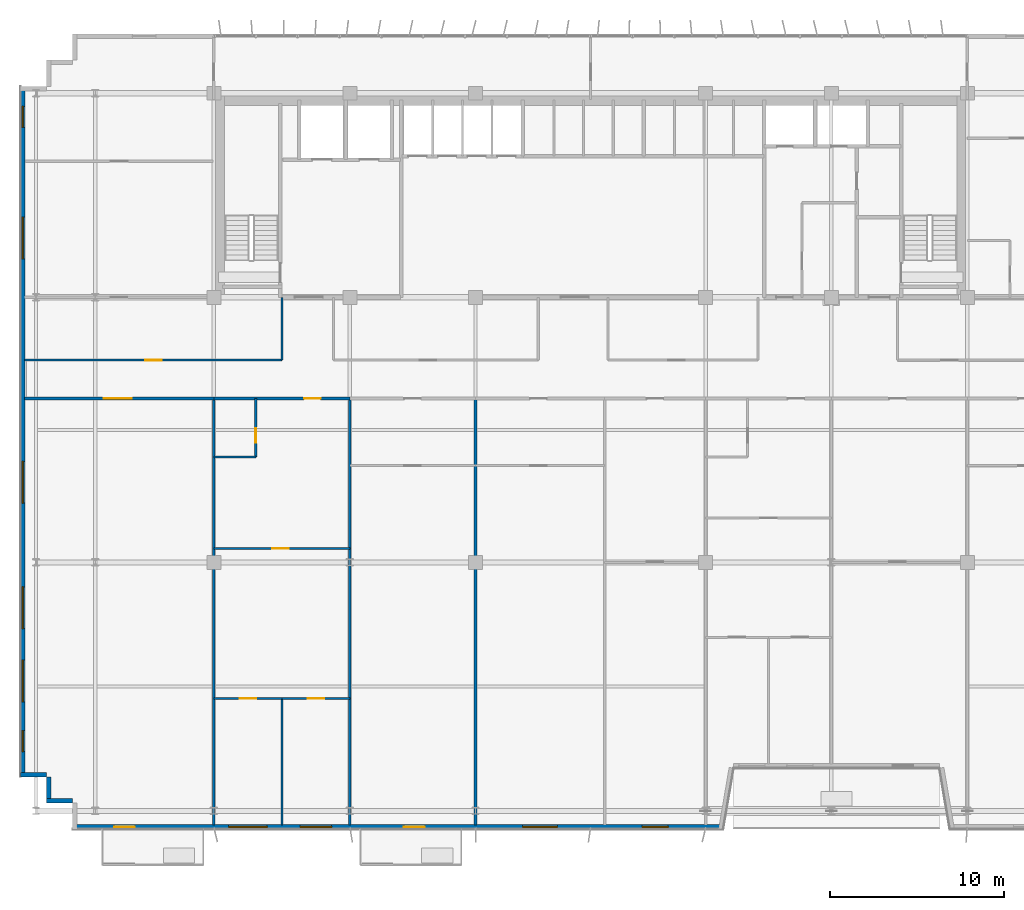
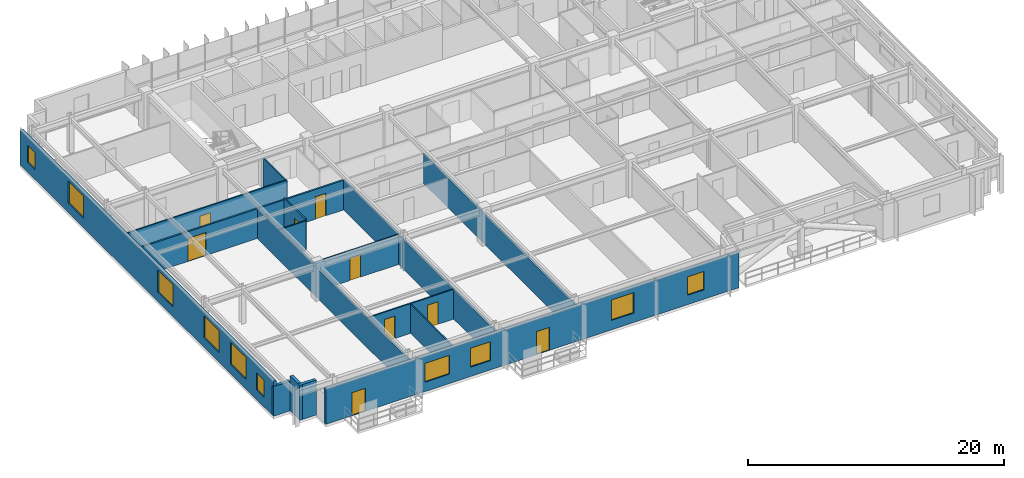
# One storey, part 15 of 22: 18 walls, 10 windows, 9 doors, 19 openings.
"""IFC4 building model written with IfcOpenShell, lengths in metres."""

from ifc_helpers import new_model, si_unit, direction, frame, frame_2d, origin, place, context, subcontext, project, spatial, rectangle, extrude, source, transform, mapped, material, layer, layer_set, type_object, element, fill, save


model = new_model("IFC4")

# Units and contexts
model_context = context("Model", 3, precision=1e-05, world=origin(), true_north=direction((0.0, 1.0)))
body_context = subcontext(model_context, "Body", "Model", "MODEL_VIEW")
ifc_project = project(units=[si_unit("LENGTHUNIT", "METRE"), si_unit("AREAUNIT", "SQUARE_METRE"), si_unit("VOLUMEUNIT", "CUBIC_METRE"), si_unit("PLANEANGLEUNIT", "RADIAN"), si_unit("MASSUNIT", "GRAM", prefix="KILO")], contexts=[model_context])

# Site, building, storey
site_placement = place(None, origin())
site = spatial("IfcSite", under=ifc_project, at=site_placement, CompositionType="ELEMENT")
building_placement = place(site_placement, origin())
building = spatial("IfcBuilding", under=site, at=building_placement, Name="Trelvane Seafront Commons", CompositionType="ELEMENT")
storey_placement = place(building_placement, frame((0.0, 0.0, 121.300048828125)))
storey = spatial("IfcBuildingStorey", under=building, at=storey_placement, Name="L31", CompositionType="ELEMENT", Elevation=121.300048828125)

# Walls
ifc_material_1 = material(Name="Precast concrete C40/50", Category="concrete")
ifc_layer_1 = layer(ifc_material_1, 0.260009765625, Name="ARCH-WALL-EXT260")
ifc_layer_set_1 = layer_set([ifc_layer_1], Name="Precast concrete C40/50")
wall_type_1 = type_object("IfcWallType", Name="ARCH-WALL-EXT260", PredefinedType="SOLIDWALL", material=ifc_layer_set_1)
for number, where, z_axis, x_axis, name in (
    (1, (7.5, 4.530029296875, 0.0), (0.0, 0.0, 1.0), (-1.0, 0.0, 0.0), "EW-L31-00582"),
    (2, (6.1298828125, 4.39990234375, 0.0), (0.0, 0.0, 1.0), (0.0, 1.0, 0.0), "EW-L31-00583"),
):
    element("IfcWall", number, at=place(storey_placement, frame(where, z_axis=z_axis, x_axis=x_axis)), inside=storey, type_object=wall_type_1, Name=name, PredefinedType="SOLIDWALL", context=body_context, shape_type="SweptSolid", body=[
        extrude(rectangle(XDim=1.5, YDim=0.260009765625, at=frame_2d((0.75, 0.0))), origin(), (0.0, 0.0, 1.0), 3.33984375),
    ])
wall_1_placement = place(storey_placement, frame((6.0, 6.030029296875, 0.0), z_axis=(0.0, 0.0, 1.0), x_axis=(-1.0, 0.0, 0.0)))
element("IfcWall", 3, at=wall_1_placement, inside=storey, type_object=wall_type_1, Name="EW-L31-00584", PredefinedType="SOLIDWALL", context=body_context, shape_type="SweptSolid", body=[
    extrude(rectangle(XDim=1.5, YDim=0.260009765625, at=frame_2d((0.75, 0.0))), origin(), (0.0, 0.0, 1.0), 2.83984375),
])

# Wall, openings, windows
wall_2_placement = place(storey_placement, frame((4.6298828125, 5.89990234375, 0.0), z_axis=(0.0, 0.0, 1.0), x_axis=(0.0, 1.0, 0.0)))
wall_2 = element("IfcWall", 4, at=wall_2_placement, inside=storey, type_object=wall_type_1, Name="EW-L31-00585", PredefinedType="SOLIDWALL", context=body_context, shape_type="SweptSolid", body=[
    extrude(rectangle(XDim=39.60009765625, YDim=0.260009765625, at=frame_2d((19.800048828125, 0.0))), origin(), (0.0, 0.0, 1.0), 3.33984375),
])
opening_1_placement = place(wall_2_placement, frame((1.449951171875, 0.0, 0.919921875)))
opening_1 = element("IfcOpeningElement", 5, at=opening_1_placement, cuts=wall_2, Name="Opening W05", PredefinedType="OPENING", context=body_context, shape_type="SweptSolid", body=[
    extrude(rectangle(XDim=1.199951171875, YDim=1.64990234375, at=frame_2d((0.60009765625, 0.824951171875))), frame((0.0, 0.139892578125, 0.0), z_axis=(0.0, -1.0, 0.0), x_axis=(1.0, 0.0, 0.0)), (0.0, 0.0, 1.0), 0.280029296875),
])
opening_2_placement = place(wall_2_placement, frame((4.300048828125, 0.0, 0.919921875)))
opening_2 = element("IfcOpeningElement", 6, at=opening_2_placement, cuts=wall_2, Name="Opening W08", PredefinedType="OPENING", context=body_context, shape_type="SweptSolid", body=[
    extrude(rectangle(XDim=2.39990234375, YDim=2.10009765625, at=frame_2d((1.199951171875, 1.050048828125))), frame((0.0, 0.139892578125, 0.0), z_axis=(0.0, -1.0, 0.0), x_axis=(1.0, 0.0, 0.0)), (0.0, 0.0, 1.0), 0.280029296875),
])
opening_3_placement = place(wall_2_placement, frame((8.5, 0.0, 0.919921875)))
opening_3 = element("IfcOpeningElement", 7, at=opening_3_placement, cuts=wall_2, Name="Opening W08", PredefinedType="OPENING", context=body_context, shape_type="SweptSolid", body=[
    extrude(rectangle(XDim=2.39990234375, YDim=2.10009765625, at=frame_2d((1.199951171875, 1.050048828125))), frame((0.0, 0.139892578125, 0.0), z_axis=(0.0, -1.0, 0.0), x_axis=(1.0, 0.0, 0.0)), (0.0, 0.0, 1.0), 0.280029296875),
])
opening_4_placement = place(wall_2_placement, frame((15.699951171875, 0.0, 0.919921875)))
opening_4 = element("IfcOpeningElement", 8, at=opening_4_placement, cuts=wall_2, Name="Opening W08", PredefinedType="OPENING", context=body_context, shape_type="SweptSolid", body=[
    extrude(rectangle(XDim=2.39990234375, YDim=2.10009765625, at=frame_2d((1.199951171875, 1.050048828125))), frame((0.0, 0.139892578125, 0.0), z_axis=(0.0, -1.0, 0.0), x_axis=(1.0, 0.0, 0.0)), (0.0, 0.0, 1.0), 0.280029296875),
])
opening_5_placement = place(wall_2_placement, frame((29.699951171875, 0.0, 0.919921875)))
opening_5 = element("IfcOpeningElement", 9, at=opening_5_placement, cuts=wall_2, Name="Opening W08", PredefinedType="OPENING", context=body_context, shape_type="SweptSolid", body=[
    extrude(rectangle(XDim=2.39990234375, YDim=2.10009765625, at=frame_2d((1.199951171875, 1.050048828125))), frame((0.0, 0.139892578125, 0.0), z_axis=(0.0, -1.0, 0.0), x_axis=(1.0, 0.0, 0.0)), (0.0, 0.0, 1.0), 0.280029296875),
])
opening_6_placement = place(wall_2_placement, frame((37.25, 0.0, 0.919921875)))
opening_6 = element("IfcOpeningElement", 10, at=opening_6_placement, cuts=wall_2, Name="Opening W05", PredefinedType="OPENING", context=body_context, shape_type="SweptSolid", body=[
    extrude(rectangle(XDim=1.199951171875, YDim=1.64990234375, at=frame_2d((0.60009765625, 0.824951171875))), frame((0.0, 0.139892578125, 0.0), z_axis=(0.0, -1.0, 0.0), x_axis=(1.0, 0.0, 0.0)), (0.0, 0.0, 1.0), 0.280029296875),
])
ifc_material_2 = material(Name="Low-E coastal double glazing", Category="glass")
window_type_1 = type_object("IfcWindowType", Name="ARCH-WIN-W08", PartitioningType="SINGLE_PANEL", PredefinedType="WINDOW", material=ifc_material_2)
shared_shape_1 = source(origin(), body_context, "Body", "SweptSolid", [
    extrude(rectangle(XDim=2.39990234375, YDim=2.10009765625, at=frame_2d((1.199951171875, 1.050048828125))), frame((0.0, 0.030029296875, 0.0), z_axis=(0.0, -1.0, 0.0), x_axis=(1.0, 0.0, 0.0)), (0.0, 0.0, 1.0), 0.06005859375),
])
window_1_placement = place(opening_2_placement, origin())
window_1 = element("IfcWindow", 11, at=window_1_placement, inside=storey, type_object=window_type_1, Name="WIN-L31-EW-00699", OverallHeight=2.10009765625, OverallWidth=2.39990234375, PartitioningType="SINGLE_PANEL", PredefinedType="WINDOW", context=body_context, shape_type="MappedRepresentation", body=[
    mapped(shared_shape_1, transform((0.0, 0.0, 0.0), x_axis=(1.0, 0.0, 0.0), y_axis=(0.0, 1.0, 0.0), z_axis=(0.0, 0.0, 1.0), scale=1.0)),
])
fill(opening_2, window_1)
window_2_placement = place(opening_3_placement, origin())
window_2 = element("IfcWindow", 12, at=window_2_placement, inside=storey, type_object=window_type_1, Name="WIN-L31-EW-00700", OverallHeight=2.10009765625, OverallWidth=2.39990234375, PartitioningType="SINGLE_PANEL", PredefinedType="WINDOW", context=body_context, shape_type="MappedRepresentation", body=[
    mapped(shared_shape_1, transform((0.0, 0.0, 0.0), x_axis=(1.0, 0.0, 0.0), y_axis=(0.0, 1.0, 0.0), z_axis=(0.0, 0.0, 1.0), scale=1.0)),
])
fill(opening_3, window_2)
window_3_placement = place(opening_4_placement, origin())
window_3 = element("IfcWindow", 13, at=window_3_placement, inside=storey, type_object=window_type_1, Name="WIN-L31-EW-00701", OverallHeight=2.10009765625, OverallWidth=2.39990234375, PartitioningType="SINGLE_PANEL", PredefinedType="WINDOW", context=body_context, shape_type="MappedRepresentation", body=[
    mapped(shared_shape_1, transform((0.0, 0.0, 0.0), x_axis=(1.0, 0.0, 0.0), y_axis=(0.0, 1.0, 0.0), z_axis=(0.0, 0.0, 1.0), scale=1.0)),
])
fill(opening_4, window_3)
window_4_placement = place(opening_5_placement, origin())
window_4 = element("IfcWindow", 14, at=window_4_placement, inside=storey, type_object=window_type_1, Name="WIN-L31-EW-00702", OverallHeight=2.10009765625, OverallWidth=2.39990234375, PartitioningType="SINGLE_PANEL", PredefinedType="WINDOW", context=body_context, shape_type="MappedRepresentation", body=[
    mapped(shared_shape_1, transform((0.0, 0.0, 0.0), x_axis=(1.0, 0.0, 0.0), y_axis=(0.0, 1.0, 0.0), z_axis=(0.0, 0.0, 1.0), scale=1.0)),
])
fill(opening_5, window_4)
window_type_2 = type_object("IfcWindowType", Name="ARCH-WIN-W05", PartitioningType="SINGLE_PANEL", PredefinedType="WINDOW", material=ifc_material_2)
shared_shape_2 = source(origin(), body_context, "Body", "SweptSolid", [
    extrude(rectangle(XDim=1.199951171875, YDim=1.64990234375, at=frame_2d((0.60009765625, 0.824951171875))), frame((0.0, 0.030029296875, 0.0), z_axis=(0.0, -1.0, 0.0), x_axis=(1.0, 0.0, 0.0)), (0.0, 0.0, 1.0), 0.06005859375),
])
window_5_placement = place(opening_1_placement, origin())
window_5 = element("IfcWindow", 15, at=window_5_placement, inside=storey, type_object=window_type_2, Name="WIN-L31-EW-00698", OverallHeight=1.64990234375, OverallWidth=1.199951171875, PartitioningType="SINGLE_PANEL", PredefinedType="WINDOW", context=body_context, shape_type="MappedRepresentation", body=[
    mapped(shared_shape_2, transform((0.0, 0.0, 0.0), x_axis=(1.0, 0.0, 0.0), y_axis=(0.0, 1.0, 0.0), z_axis=(0.0, 0.0, 1.0), scale=1.0)),
])
fill(opening_1, window_5)
window_6_placement = place(opening_6_placement, origin())
window_6 = element("IfcWindow", 16, at=window_6_placement, inside=storey, type_object=window_type_2, Name="WIN-L31-EW-00703", OverallHeight=1.64990234375, OverallWidth=1.199951171875, PartitioningType="SINGLE_PANEL", PredefinedType="WINDOW", context=body_context, shape_type="MappedRepresentation", body=[
    mapped(shared_shape_2, transform((0.0, 0.0, 0.0), x_axis=(1.0, 0.0, 0.0), y_axis=(0.0, 1.0, 0.0), z_axis=(0.0, 0.0, 1.0), scale=1.0)),
])
fill(opening_6, window_6)

# Wall, openings, doors, windows
wall_3_placement = place(storey_placement, frame((44.800048828125, 3.030029296875, 0.0), z_axis=(0.0, 0.0, 1.0), x_axis=(-1.0, 0.0, 0.0)))
wall_3 = element("IfcWall", 17, at=wall_3_placement, inside=storey, type_object=wall_type_1, Name="EW-L31-00603", PredefinedType="SOLIDWALL", context=body_context, shape_type="SweptSolid", body=[
    extrude(rectangle(XDim=37.300048828125, YDim=0.260009765625, at=frame_2d((18.64990234375, 0.0))), origin(), (0.0, 0.0, 1.0), 3.33984375),
])
opening_7_placement = place(wall_3_placement, frame((3.14990234375, 0.0, 0.89990234375)))
opening_7 = element("IfcOpeningElement", 18, at=opening_7_placement, cuts=wall_3, Name="Opening W03", PredefinedType="OPENING", context=body_context, shape_type="SweptSolid", body=[
    extrude(rectangle(XDim=1.5, YDim=1.75, at=frame_2d((0.75, 0.875))), frame((0.0, 0.139892578125, 0.0), z_axis=(0.0, -1.0, 0.0), x_axis=(1.0, 0.0, 0.0)), (0.0, 0.0, 1.0), 0.280029296875),
])
opening_8_placement = place(wall_3_placement, frame((9.5, 0.0, 0.89990234375)))
opening_8 = element("IfcOpeningElement", 19, at=opening_8_placement, cuts=wall_3, Name="Opening W06", PredefinedType="OPENING", context=body_context, shape_type="SweptSolid", body=[
    extrude(rectangle(XDim=2.0, YDim=1.949951171875, at=frame_2d((1.0, 0.97509765625))), frame((0.0, 0.139892578125, 0.0), z_axis=(0.0, -1.0, 0.0), x_axis=(1.0, 0.0, 0.0)), (0.0, 0.0, 1.0), 0.280029296875),
])
opening_9_placement = place(wall_3_placement, frame((17.10888671875, 0.0, 0.0)))
opening_9 = element("IfcOpeningElement", 20, at=opening_9_placement, cuts=wall_3, Name="Opening BD-L31-75", PredefinedType="OPENING", context=body_context, shape_type="SweptSolid", body=[
    extrude(rectangle(XDim=1.199951171875, YDim=2.199951171875, at=frame_2d((0.60009765625, 1.10009765625))), frame((0.0, 0.139892578125, 0.0), z_axis=(0.0, -1.0, 0.0), x_axis=(1.0, 0.0, 0.0)), (0.0, 0.0, 1.0), 0.280029296875),
])
opening_10_placement = place(wall_3_placement, frame((22.449951171875, 0.0, 0.89990234375)))
opening_10 = element("IfcOpeningElement", 21, at=opening_10_placement, cuts=wall_3, Name="Opening W01", PredefinedType="OPENING", context=body_context, shape_type="SweptSolid", body=[
    extrude(rectangle(XDim=1.800048828125, YDim=1.800048828125, at=frame_2d((0.89990234375, 0.89990234375))), frame((0.0, 0.139892578125, 0.0), z_axis=(0.0, -1.0, 0.0), x_axis=(1.0, 0.0, 0.0)), (0.0, 0.0, 1.0), 0.280029296875),
])
opening_11_placement = place(wall_3_placement, frame((26.14990234375, 0.0, 0.89990234375)))
opening_11 = element("IfcOpeningElement", 22, at=opening_11_placement, cuts=wall_3, Name="Opening W02", PredefinedType="OPENING", context=body_context, shape_type="SweptSolid", body=[
    extrude(rectangle(XDim=2.199951171875, YDim=1.800048828125, at=frame_2d((1.10009765625, 0.89990234375))), frame((0.0, 0.139892578125, 0.0), z_axis=(0.0, -1.0, 0.0), x_axis=(1.0, 0.0, 0.0)), (0.0, 0.0, 1.0), 0.280029296875),
])
opening_12_placement = place(wall_3_placement, frame((33.72705078125, 0.0, 0.0)))
opening_12 = element("IfcOpeningElement", 23, at=opening_12_placement, cuts=wall_3, Name="Opening BD-L31-76", PredefinedType="OPENING", context=body_context, shape_type="SweptSolid", body=[
    extrude(rectangle(XDim=1.199951171875, YDim=2.199951171875, at=frame_2d((0.60009765625, 1.10009765625))), frame((0.0, 0.139892578125, 0.0), z_axis=(0.0, -1.0, 0.0), x_axis=(1.0, 0.0, 0.0)), (0.0, 0.0, 1.0), 0.280029296875),
])
ifc_material_3 = material(Name="Powder-coated aluminium frame", Category="aluminium")
door_type_1 = type_object("IfcDoorType", Name="ARCH-DR-BAL1200", OperationType="NOTDEFINED", PredefinedType="DOOR", material=ifc_material_3)
shared_shape_3 = source(origin(), body_context, "Body", "SweptSolid", [
    extrude(rectangle(XDim=1.199951171875, YDim=2.199951171875, at=frame_2d((0.60009765625, 1.10009765625))), frame((0.0, 0.02490234375, 0.0), z_axis=(0.0, -1.0, 0.0), x_axis=(1.0, 0.0, 0.0)), (0.0, 0.0, 1.0), 0.050048828125),
])
door_1_placement = place(opening_9_placement, origin())
door_1 = element("IfcDoor", 24, at=door_1_placement, inside=storey, type_object=door_type_1, Name="L31 Balcony Terrace Access Door", OperationType="SINGLE_SWING_LEFT", OverallHeight=2.199951171875, OverallWidth=1.199951171875, PredefinedType="DOOR", context=body_context, shape_type="MappedRepresentation", body=[
    mapped(shared_shape_3, transform((0.0, 0.0, 0.0), x_axis=(1.0, 0.0, 0.0), y_axis=(0.0, 1.0, 0.0), z_axis=(0.0, 0.0, 1.0), scale=1.0)),
])
fill(opening_9, door_1)
door_2_placement = place(opening_12_placement, origin())
door_2 = element("IfcDoor", 25, at=door_2_placement, inside=storey, type_object=door_type_1, Name="L31 Balcony Terrace Access Door", OperationType="SINGLE_SWING_LEFT", OverallHeight=2.199951171875, OverallWidth=1.199951171875, PredefinedType="DOOR", context=body_context, shape_type="MappedRepresentation", body=[
    mapped(shared_shape_3, transform((0.0, 0.0, 0.0), x_axis=(1.0, 0.0, 0.0), y_axis=(0.0, 1.0, 0.0), z_axis=(0.0, 0.0, 1.0), scale=1.0)),
])
fill(opening_12, door_2)
window_type_3 = type_object("IfcWindowType", Name="ARCH-WIN-W02", PartitioningType="SINGLE_PANEL", PredefinedType="WINDOW", material=ifc_material_2)
shared_shape_4 = source(origin(), body_context, "Body", "SweptSolid", [
    extrude(rectangle(XDim=2.199951171875, YDim=1.800048828125, at=frame_2d((1.10009765625, 0.89990234375))), frame((0.0, 0.030029296875, 0.0), z_axis=(0.0, -1.0, 0.0), x_axis=(1.0, 0.0, 0.0)), (0.0, 0.0, 1.0), 0.06005859375),
])
window_7_placement = place(opening_11_placement, origin())
window_7 = element("IfcWindow", 26, at=window_7_placement, inside=storey, type_object=window_type_3, Name="WIN-L31-00717", OverallHeight=1.800048828125, OverallWidth=2.199951171875, PartitioningType="SINGLE_PANEL", PredefinedType="WINDOW", context=body_context, shape_type="MappedRepresentation", body=[
    mapped(shared_shape_4, transform((0.0, 0.0, 0.0), x_axis=(1.0, 0.0, 0.0), y_axis=(0.0, 1.0, 0.0), z_axis=(0.0, 0.0, 1.0), scale=1.0)),
])
fill(opening_11, window_7)
window_type_4 = type_object("IfcWindowType", Name="ARCH-WIN-W03", PartitioningType="SINGLE_PANEL", PredefinedType="WINDOW", material=ifc_material_2)
shared_shape_5 = source(origin(), body_context, "Body", "SweptSolid", [
    extrude(rectangle(XDim=1.5, YDim=1.75, at=frame_2d((0.75, 0.875))), frame((0.0, 0.030029296875, 0.0), z_axis=(0.0, -1.0, 0.0), x_axis=(1.0, 0.0, 0.0)), (0.0, 0.0, 1.0), 0.06005859375),
])
window_8_placement = place(opening_7_placement, origin())
window_8 = element("IfcWindow", 27, at=window_8_placement, inside=storey, type_object=window_type_4, Name="WIN-L31-00714", OverallHeight=1.75, OverallWidth=1.5, PartitioningType="SINGLE_PANEL", PredefinedType="WINDOW", context=body_context, shape_type="MappedRepresentation", body=[
    mapped(shared_shape_5, transform((0.0, 0.0, 0.0), x_axis=(1.0, 0.0, 0.0), y_axis=(0.0, 1.0, 0.0), z_axis=(0.0, 0.0, 1.0), scale=1.0)),
])
fill(opening_7, window_8)
window_type_5 = type_object("IfcWindowType", Name="ARCH-WIN-W06", PartitioningType="SINGLE_PANEL", PredefinedType="WINDOW", material=ifc_material_2)
shared_shape_6 = source(origin(), body_context, "Body", "SweptSolid", [
    extrude(rectangle(XDim=2.0, YDim=1.949951171875, at=frame_2d((1.0, 0.97509765625))), frame((0.0, 0.030029296875, 0.0), z_axis=(0.0, -1.0, 0.0), x_axis=(1.0, 0.0, 0.0)), (0.0, 0.0, 1.0), 0.06005859375),
])
window_9_placement = place(opening_8_placement, origin())
window_9 = element("IfcWindow", 28, at=window_9_placement, inside=storey, type_object=window_type_5, Name="WIN-L31-00715", OverallHeight=1.949951171875, OverallWidth=2.0, PartitioningType="SINGLE_PANEL", PredefinedType="WINDOW", context=body_context, shape_type="MappedRepresentation", body=[
    mapped(shared_shape_6, transform((0.0, 0.0, 0.0), x_axis=(1.0, 0.0, 0.0), y_axis=(0.0, 1.0, 0.0), z_axis=(0.0, 0.0, 1.0), scale=1.0)),
])
fill(opening_8, window_9)
window_type_6 = type_object("IfcWindowType", Name="ARCH-WIN-W01", PartitioningType="SINGLE_PANEL", PredefinedType="WINDOW", material=ifc_material_2)
shared_shape_7 = source(origin(), body_context, "Body", "SweptSolid", [
    extrude(rectangle(XDim=1.800048828125, YDim=1.800048828125, at=frame_2d((0.89990234375, 0.89990234375))), frame((0.0, 0.030029296875, 0.0), z_axis=(0.0, -1.0, 0.0), x_axis=(1.0, 0.0, 0.0)), (0.0, 0.0, 1.0), 0.06005859375),
])
window_10_placement = place(opening_10_placement, origin())
window_10 = element("IfcWindow", 29, at=window_10_placement, inside=storey, type_object=window_type_6, Name="WIN-L31-00716", OverallHeight=1.800048828125, OverallWidth=1.800048828125, PartitioningType="SINGLE_PANEL", PredefinedType="WINDOW", context=body_context, shape_type="MappedRepresentation", body=[
    mapped(shared_shape_7, transform((0.0, 0.0, 0.0), x_axis=(1.0, 0.0, 0.0), y_axis=(0.0, 1.0, 0.0), z_axis=(0.0, 0.0, 1.0), scale=1.0)),
])
fill(opening_10, window_10)

# Wall, opening, door
ifc_material_4 = material(Name="Gypsum Drywall Acoustic Partition")
ifc_layer_2 = layer(ifc_material_4, 0.1201171875, Name="ARCH-WALL-PART120")
ifc_layer_set_2 = layer_set([ifc_layer_2], Name="Gypsum Drywall Acoustic Partition")
wall_type_2 = type_object("IfcWallType", Name="ARCH-WALL-PART120", PredefinedType="PARTITIONING", material=ifc_layer_set_2)
wall_4_placement = place(storey_placement, frame((4.75, 29.800048828125, 0.0), z_axis=(0.0, 0.0, 1.0), x_axis=(1.0, 0.0, 0.0)))
wall_4 = element("IfcWall", 30, at=wall_4_placement, inside=storey, type_object=wall_type_2, Name="W-L31-CORR-N-W-038", PredefinedType="PARTITIONING", context=body_context, shape_type="SweptSolid", body=[
    extrude(rectangle(XDim=14.75, YDim=0.1201171875, at=frame_2d((7.375, 0.0))), origin(), (0.0, 0.0, 1.0), 2.83984375),
])
opening_13_placement = place(wall_4_placement, frame((6.89990234375, 0.0, 0.0)))
opening_13 = element("IfcOpeningElement", 31, at=opening_13_placement, cuts=wall_4, Name="Opening D-L31-17", PredefinedType="OPENING", context=body_context, shape_type="SweptSolid", body=[
    extrude(rectangle(XDim=0.949951171875, YDim=2.14990234375, at=frame_2d((0.47509765625, 1.074951171875))), frame((0.0, 0.070068359375, 0.0), z_axis=(0.0, -1.0, 0.0), x_axis=(1.0, 0.0, 0.0)), (0.0, 0.0, 1.0), 0.14013671875),
])
ifc_material_5 = material(Name="Acoustic timber door leaf", Category="wood")
door_type_2 = type_object("IfcDoorType", Name="ARCH-DR-INT950", OperationType="NOTDEFINED", PredefinedType="DOOR", material=ifc_material_5)
shared_shape_8 = source(origin(), body_context, "Body", "SweptSolid", [
    extrude(rectangle(XDim=0.949951171875, YDim=2.14990234375, at=frame_2d((0.47509765625, 1.074951171875))), frame((0.0, 0.02490234375, 0.0), z_axis=(0.0, -1.0, 0.0), x_axis=(1.0, 0.0, 0.0)), (0.0, 0.0, 1.0), 0.050048828125),
])
door_3_placement = place(opening_13_placement, origin())
door_3 = element("IfcDoor", 32, at=door_3_placement, inside=storey, type_object=door_type_2, Name="L31 Door 17", OperationType="SINGLE_SWING_LEFT", OverallHeight=2.14990234375, OverallWidth=0.949951171875, PredefinedType="DOOR", context=body_context, shape_type="MappedRepresentation", body=[
    mapped(shared_shape_8, transform((0.0, 0.0, 0.0), x_axis=(1.0, 0.0, 0.0), y_axis=(0.0, 1.0, 0.0), z_axis=(0.0, 0.0, 1.0), scale=1.0)),
])
fill(opening_13, door_3)

# Wall
wall_5_placement = place(storey_placement, frame((19.5, 29.800048828125, 0.0), z_axis=(0.0, 0.0, 1.0), x_axis=(0.0, 1.0, 0.0)))
element("IfcWall", 33, at=wall_5_placement, inside=storey, type_object=wall_type_2, Name="W-L31-N-SPUR-W1-043", PredefinedType="PARTITIONING", context=body_context, shape_type="SweptSolid", body=[
    extrude(rectangle(XDim=3.599853515625, YDim=0.1201171875, at=frame_2d((1.7998046875, 0.0))), origin(), (0.0, 0.0, 1.0), 2.751953125),
])

# Wall, opening, door
wall_6_placement = place(storey_placement, frame((15.60009765625, 19.0, 0.0), z_axis=(0.0, 0.0, 1.0), x_axis=(1.0, 0.0, 0.0)))
wall_6 = element("IfcWall", 34, at=wall_6_placement, inside=storey, type_object=wall_type_2, Name="W-L31-U2-KL-069", PredefinedType="PARTITIONING", context=body_context, shape_type="SweptSolid", body=[
    extrude(rectangle(XDim=7.7998046875, YDim=0.1201171875, at=frame_2d((3.89990234375, 0.0))), origin(), (0.0, 0.0, 1.0), 2.83984375),
])
opening_14_placement = place(wall_6_placement, frame((3.3330078125, 0.0, 0.0)))
opening_14 = element("IfcOpeningElement", 35, at=opening_14_placement, cuts=wall_6, Name="Opening D-L31-32", PredefinedType="OPENING", context=body_context, shape_type="SweptSolid", body=[
    extrude(rectangle(XDim=0.949951171875, YDim=2.14990234375, at=frame_2d((0.47509765625, 1.074951171875))), frame((0.0, 0.070068359375, 0.0), z_axis=(0.0, -1.0, 0.0), x_axis=(1.0, 0.0, 0.0)), (0.0, 0.0, 1.0), 0.14013671875),
])
door_4_placement = place(opening_14_placement, origin())
door_4 = element("IfcDoor", 36, at=door_4_placement, inside=storey, type_object=door_type_2, Name="L31 Door 32", OperationType="SINGLE_SWING_RIGHT", OverallHeight=2.14990234375, OverallWidth=0.949951171875, PredefinedType="DOOR", context=body_context, shape_type="MappedRepresentation", body=[
    mapped(shared_shape_8, transform((0.0, 0.0, 0.0), x_axis=(1.0, 0.0, 0.0), y_axis=(0.0, 1.0, 0.0), z_axis=(0.0, 0.0, 1.0), scale=1.0)),
])
fill(opening_14, door_4)

wall_7_placement = place(storey_placement, frame((18.0, 24.25, 0.0), z_axis=(0.0, 0.0, 1.0), x_axis=(0.0, 1.0, 0.0)))
wall_7 = element("IfcWall", 37, at=wall_7_placement, inside=storey, type_object=wall_type_2, Name="W-L31-U2-BE-070", PredefinedType="PARTITIONING", context=body_context, shape_type="SweptSolid", body=[
    extrude(rectangle(XDim=3.35009765625, YDim=0.1201171875, at=frame_2d((1.675048828125, 0.0))), origin(), (0.0, 0.0, 1.0), 2.989990234375),
])
opening_15_placement = place(wall_7_placement, frame((0.800048828125, 0.0, 0.0)))
opening_15 = element("IfcOpeningElement", 38, at=opening_15_placement, cuts=wall_7, Name="Opening D-L31-33", PredefinedType="OPENING", context=body_context, shape_type="SweptSolid", body=[
    extrude(rectangle(XDim=0.85009765625, YDim=2.10009765625, at=frame_2d((0.425048828125, 1.050048828125))), frame((0.0, 0.070068359375, 0.0), z_axis=(0.0, -1.0, 0.0), x_axis=(1.0, 0.0, 0.0)), (0.0, 0.0, 1.0), 0.14013671875),
])
door_type_3 = type_object("IfcDoorType", Name="ARCH-DR-INT850", OperationType="NOTDEFINED", PredefinedType="DOOR", material=ifc_material_5)
shared_shape_9 = source(origin(), body_context, "Body", "SweptSolid", [
    extrude(rectangle(XDim=0.85009765625, YDim=2.10009765625, at=frame_2d((0.425048828125, 1.050048828125))), frame((0.0, 0.02490234375, 0.0), z_axis=(0.0, -1.0, 0.0), x_axis=(1.0, 0.0, 0.0)), (0.0, 0.0, 1.0), 0.050048828125),
])
door_5_placement = place(opening_15_placement, origin())
door_5 = element("IfcDoor", 39, at=door_5_placement, inside=storey, type_object=door_type_3, Name="L31 Door 33", OperationType="SINGLE_SWING_LEFT", OverallHeight=2.10009765625, OverallWidth=0.85009765625, PredefinedType="DOOR", context=body_context, shape_type="MappedRepresentation", body=[
    mapped(shared_shape_9, transform((0.0, 0.0, 0.0), x_axis=(1.0, 0.0, 0.0), y_axis=(0.0, 1.0, 0.0), z_axis=(0.0, 0.0, 1.0), scale=1.0)),
])
fill(opening_15, door_5)

# Wall
wall_8_placement = place(storey_placement, frame((15.60009765625, 24.25, 0.0), z_axis=(0.0, 0.0, 1.0), x_axis=(1.0, 0.0, 0.0)))
element("IfcWall", 40, at=wall_8_placement, inside=storey, type_object=wall_type_2, Name="W-L31-U2-BS-071", PredefinedType="PARTITIONING", context=body_context, shape_type="SweptSolid", body=[
    extrude(rectangle(XDim=2.39990234375, YDim=0.1201171875, at=frame_2d((1.199951171875, 0.0))), origin(), (0.0, 0.0, 1.0), 2.83984375),
])

# Wall, opening, door
wall_9_placement = place(storey_placement, frame((15.60009765625, 10.39990234375, 0.0), z_axis=(0.0, 0.0, 1.0), x_axis=(1.0, 0.0, 0.0)))
wall_9 = element("IfcWall", 41, at=wall_9_placement, inside=storey, type_object=wall_type_2, Name="W-L31-U2-YM-1-073", PredefinedType="PARTITIONING", context=body_context, shape_type="SweptSolid", body=[
    extrude(rectangle(XDim=3.89990234375, YDim=0.1201171875, at=frame_2d((1.949951171875, 0.0))), origin(), (0.0, 0.0, 1.0), 2.83984375),
])
opening_16_placement = place(wall_9_placement, frame((1.47509765625, 0.0, 0.0)))
opening_16 = element("IfcOpeningElement", 42, at=opening_16_placement, cuts=wall_9, Name="Opening D-L31-35", PredefinedType="OPENING", context=body_context, shape_type="SweptSolid", body=[
    extrude(rectangle(XDim=0.949951171875, YDim=2.14990234375, at=frame_2d((0.47509765625, 1.074951171875))), frame((0.0, 0.070068359375, 0.0), z_axis=(0.0, -1.0, 0.0), x_axis=(1.0, 0.0, 0.0)), (0.0, 0.0, 1.0), 0.14013671875),
])
door_6_placement = place(opening_16_placement, origin())
door_6 = element("IfcDoor", 43, at=door_6_placement, inside=storey, type_object=door_type_2, Name="L31 Door 35", OperationType="SINGLE_SWING_LEFT", OverallHeight=2.14990234375, OverallWidth=0.949951171875, PredefinedType="DOOR", context=body_context, shape_type="MappedRepresentation", body=[
    mapped(shared_shape_8, transform((0.0, 0.0, 0.0), x_axis=(1.0, 0.0, 0.0), y_axis=(0.0, 1.0, 0.0), z_axis=(0.0, 0.0, 1.0), scale=1.0)),
])
fill(opening_16, door_6)

wall_10_placement = place(storey_placement, frame((19.5, 10.39990234375, 0.0), z_axis=(0.0, 0.0, 1.0), x_axis=(1.0, 0.0, 0.0)))
wall_10 = element("IfcWall", 44, at=wall_10_placement, inside=storey, type_object=wall_type_2, Name="W-L31-U2-YM-2-074", PredefinedType="PARTITIONING", context=body_context, shape_type="SweptSolid", body=[
    extrude(rectangle(XDim=3.89990234375, YDim=0.1201171875, at=frame_2d((1.949951171875, 0.0))), origin(), (0.0, 0.0, 1.0), 2.83984375),
])
opening_17_placement = place(wall_10_placement, frame((1.47509765625, 0.0, 0.0)))
opening_17 = element("IfcOpeningElement", 45, at=opening_17_placement, cuts=wall_10, Name="Opening D-L31-36", PredefinedType="OPENING", context=body_context, shape_type="SweptSolid", body=[
    extrude(rectangle(XDim=0.949951171875, YDim=2.14990234375, at=frame_2d((0.47509765625, 1.074951171875))), frame((0.0, 0.070068359375, 0.0), z_axis=(0.0, -1.0, 0.0), x_axis=(1.0, 0.0, 0.0)), (0.0, 0.0, 1.0), 0.14013671875),
])
door_7_placement = place(opening_17_placement, origin())
door_7 = element("IfcDoor", 46, at=door_7_placement, inside=storey, type_object=door_type_2, Name="L31 Door 36", OperationType="SINGLE_SWING_RIGHT", OverallHeight=2.14990234375, OverallWidth=0.949951171875, PredefinedType="DOOR", context=body_context, shape_type="MappedRepresentation", body=[
    mapped(shared_shape_8, transform((0.0, 0.0, 0.0), x_axis=(1.0, 0.0, 0.0), y_axis=(0.0, 1.0, 0.0), z_axis=(0.0, 0.0, 1.0), scale=1.0)),
])
fill(opening_17, door_7)

# Walls
wall_11_placement = place(storey_placement, frame((19.5, 3.14501953125, 0.0), z_axis=(0.0, 0.0, 1.0), x_axis=(0.0, 1.0, 0.0)))
element("IfcWall", 47, at=wall_11_placement, inside=storey, type_object=wall_type_2, Name="W-L31-U2-BDV-1-075", PredefinedType="PARTITIONING", context=body_context, shape_type="SweptSolid", body=[
    extrude(rectangle(XDim=7.2548828125, YDim=0.1201171875, at=frame_2d((3.62744140625, 0.0))), origin(), (0.0, 0.0, 1.0), 2.751953125),
])
ifc_layer_3 = layer(ifc_material_4, 0.14990234375, Name="ARCH-WALL-PART150")
ifc_layer_set_3 = layer_set([ifc_layer_3], Name="Gypsum Drywall Acoustic Partition")
wall_type_3 = type_object("IfcWallType", Name="ARCH-WALL-PART150", PredefinedType="PARTITIONING", material=ifc_layer_set_3)
for number, where, z_axis, x_axis, name in (
    (48, (15.60009765625, 3.14501953125, 0.0), (0.0, 0.0, 1.0), (0.0, 1.0, 0.0), "W-L31-PW-1-060"),
    (49, (23.39990234375, 3.14501953125, 0.0), (0.0, 0.0, 1.0), (0.0, 1.0, 0.0), "W-L31-PW-2-061"),
    (50, (30.60009765625, 3.14501953125, 0.0), (0.0, 0.0, 1.0), (0.0, 1.0, 0.0), "W-L31-PW-3-062"),
):
    element("IfcWall", number, at=place(storey_placement, frame(where, z_axis=z_axis, x_axis=x_axis)), inside=storey, type_object=wall_type_3, Name=name, PredefinedType="PARTITIONING", context=body_context, shape_type="SweptSolid", body=[
        extrude(rectangle(XDim=24.455078125, YDim=0.14990234375, at=frame_2d((12.2275390625, 0.0))), origin(), (0.0, 0.0, 1.0), 2.83984375),
    ])

# Wall, opening, door
wall_12_placement = place(storey_placement, frame((4.7451171875, 27.60009765625, 0.0), z_axis=(0.0, 0.0, 1.0), x_axis=(1.0, 0.0, 0.0)))
wall_12 = element("IfcWall", 51, at=wall_12_placement, inside=storey, type_object=wall_type_3, Name="W-L31-CS-BAY-1-068", PredefinedType="PARTITIONING", context=body_context, shape_type="SweptSolid", body=[
    extrude(rectangle(XDim=10.85498046875, YDim=0.14990234375, at=frame_2d((5.427490234375, 0.0))), origin(), (0.0, 0.0, 1.0), 2.83984375),
])
opening_18_placement = place(wall_12_placement, frame((4.537109375, 0.0, 0.0)))
opening_18 = element("IfcOpeningElement", 52, at=opening_18_placement, cuts=wall_12, Name="Opening D-L31-31", PredefinedType="OPENING", context=body_context, shape_type="SweptSolid", body=[
    extrude(rectangle(XDim=1.60009765625, YDim=2.199951171875, at=frame_2d((0.800048828125, 1.10009765625))), frame((0.0, 0.0849609375, 0.0), z_axis=(0.0, -1.0, 0.0), x_axis=(1.0, 0.0, 0.0)), (0.0, 0.0, 1.0), 0.169921875),
])
door_type_4 = type_object("IfcDoorType", Name="ARCH-DR-GLZ1600", OperationType="DOUBLE_DOOR_SINGLE_SWING", PredefinedType="DOOR", material=ifc_material_5)
shared_shape_10 = source(origin(), body_context, "Body", "SweptSolid", [
    extrude(rectangle(XDim=1.60009765625, YDim=2.199951171875, at=frame_2d((0.800048828125, 1.10009765625))), frame((0.0, 0.02490234375, 0.0), z_axis=(0.0, -1.0, 0.0), x_axis=(1.0, 0.0, 0.0)), (0.0, 0.0, 1.0), 0.050048828125),
])
door_8_placement = place(opening_18_placement, origin())
door_8 = element("IfcDoor", 53, at=door_8_placement, inside=storey, type_object=door_type_4, Name="L31 Commons Lounge 01 Door", OperationType="DOUBLE_DOOR_SINGLE_SWING", OverallHeight=2.199951171875, OverallWidth=1.60009765625, PredefinedType="DOOR", context=body_context, shape_type="MappedRepresentation", body=[
    mapped(shared_shape_10, transform((0.0, 0.0, 0.0), x_axis=(1.0, 0.0, 0.0), y_axis=(0.0, 1.0, 0.0), z_axis=(0.0, 0.0, 1.0), scale=1.0)),
])
fill(opening_18, door_8)

wall_13_placement = place(storey_placement, frame((15.60009765625, 27.60009765625, 0.0), z_axis=(0.0, 0.0, 1.0), x_axis=(1.0, 0.0, 0.0)))
wall_13 = element("IfcWall", 54, at=wall_13_placement, inside=storey, type_object=wall_type_3, Name="W-L31-CS-BAY-2-072", PredefinedType="PARTITIONING", context=body_context, shape_type="SweptSolid", body=[
    extrude(rectangle(XDim=7.7998046875, YDim=0.14990234375, at=frame_2d((3.89990234375, 0.0))), origin(), (0.0, 0.0, 1.0), 2.83984375),
])
opening_19_placement = place(wall_13_placement, frame((5.172119140625, 0.0, 0.0)))
opening_19 = element("IfcOpeningElement", 55, at=opening_19_placement, cuts=wall_13, Name="Opening FD-L31-34", PredefinedType="OPENING", context=body_context, shape_type="SweptSolid", body=[
    extrude(rectangle(XDim=0.949951171875, YDim=2.14990234375, at=frame_2d((0.47509765625, 1.074951171875))), frame((0.0, 0.0849609375, 0.0), z_axis=(0.0, -1.0, 0.0), x_axis=(1.0, 0.0, 0.0)), (0.0, 0.0, 1.0), 0.169921875),
])
door_type_5 = type_object("IfcDoorType", Name="ARCH-DR-FD60-950", OperationType="NOTDEFINED", PredefinedType="DOOR", material=ifc_material_3)
door_9_placement = place(opening_19_placement, origin())
door_9 = element("IfcDoor", 56, at=door_9_placement, inside=storey, type_object=door_type_5, Name="L31 Unit 02 Entrance Door", OperationType="SINGLE_SWING_RIGHT", OverallHeight=2.14990234375, OverallWidth=0.949951171875, PredefinedType="DOOR", context=body_context, shape_type="MappedRepresentation", body=[
    mapped(shared_shape_8, transform((0.0, 0.0, 0.0), x_axis=(1.0, 0.0, 0.0), y_axis=(0.0, 1.0, 0.0), z_axis=(0.0, 0.0, 1.0), scale=1.0)),
])
fill(opening_19, door_9)

save(model, "model.ifc")
